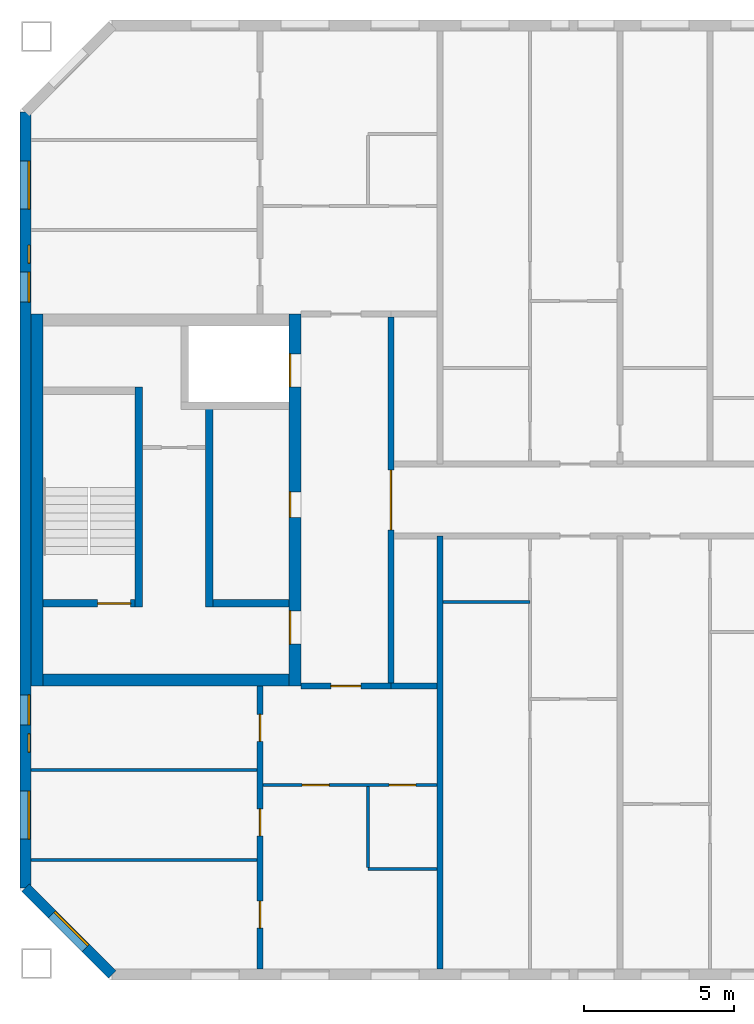
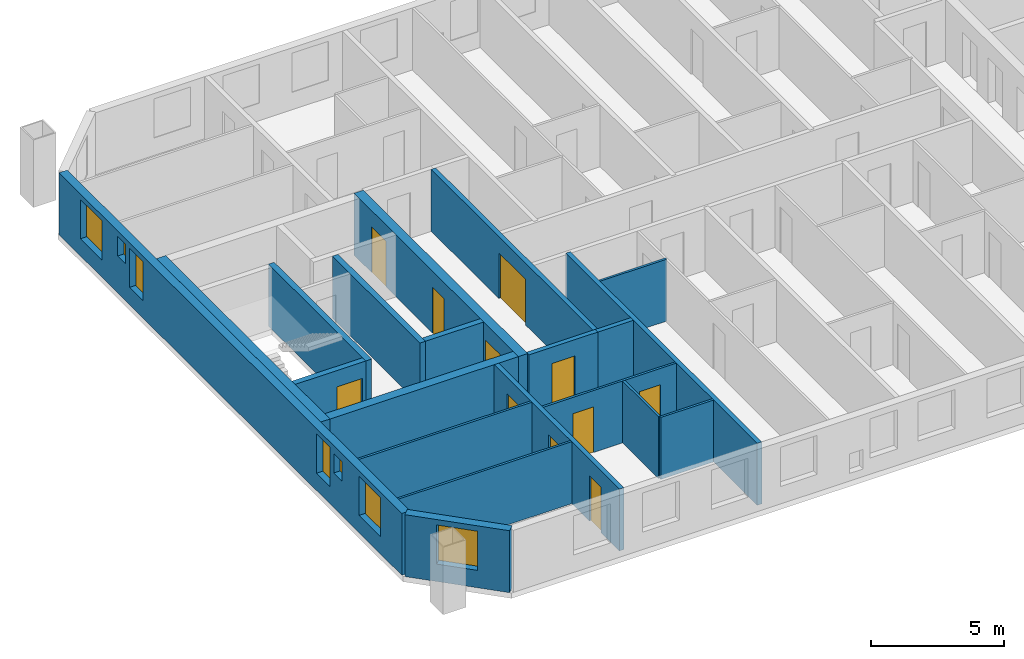
# One storey, part 4 of 19: 20 walls, 11 doors, 7 windows, 18 openings.
"""IFC4 building model written with IfcOpenShell, lengths in metres."""

from ifc_helpers import new_model, si_unit, direction, frame, frame_2d, origin, place, context, subcontext, project, spatial, rectangle, extrude, material, layer, layer_set, type_object, element, fill, save


model = new_model("IFC4")

# Units and contexts
model_context = context("Model", 3, precision=1e-05, world=origin(), true_north=direction((0.0, 1.0)))
body_context = subcontext(model_context, "Body", "Model", "MODEL_VIEW")
ifc_project = project(units=[si_unit("LENGTHUNIT", "METRE"), si_unit("AREAUNIT", "SQUARE_METRE"), si_unit("VOLUMEUNIT", "CUBIC_METRE"), si_unit("PLANEANGLEUNIT", "RADIAN"), si_unit("MASSUNIT", "GRAM", prefix="KILO")], contexts=[model_context])

# Site, building, storey
site_placement = place(None, origin())
site = spatial("IfcSite", under=ifc_project, at=site_placement, CompositionType="ELEMENT")
building_placement = place(site_placement, origin())
building = spatial("IfcBuilding", under=site, at=building_placement, Name="Tuart Gate Housing", CompositionType="ELEMENT")
storey_placement = place(building_placement, frame((0.0, 0.0, 227.60009765625)))
storey = spatial("IfcBuildingStorey", under=building, at=storey_placement, Name="L64", CompositionType="ELEMENT", Elevation=227.60009765625)

# Wall, opening, window
ifc_material_1 = material(Name="Brick", Category="masonry")
ifc_layer_1 = layer(ifc_material_1, 0.360107421875)
ifc_layer_set_1 = layer_set([ifc_layer_1], Name="Brick pier and spandrel wall 360")
wall_type_1 = type_object("IfcWallType", Name="Brick pier and spandrel wall 360", PredefinedType="STANDARD", material=ifc_layer_set_1)
wall_1_placement = place(storey_placement, frame((32.179931640625, 57.07470703125, 0.0), z_axis=(0.0, 0.0, 1.0), x_axis=(0.707106781187, -0.707106781187, 0.0)))
wall_1 = element("IfcWall", 1, at=wall_1_placement, inside=storey, type_object=wall_type_1, Name="External wall BLK-SW L64", PredefinedType="STANDARD", context=body_context, shape_type="SweptSolid", body=[
    extrude(rectangle(XDim=4.09375, YDim=0.360107421875, at=frame_2d((2.046875, 0.0))), origin(), (0.0, 0.0, 1.0), 2.849853515625),
])
opening_1_placement = place(wall_1_placement, frame((1.2470703125, 0.0, 0.800048828125)))
opening_1 = element("IfcOpeningElement", 2, at=opening_1_placement, cuts=wall_1, Name="Opening W1", PredefinedType="OPENING", context=body_context, shape_type="SweptSolid", body=[
    extrude(rectangle(XDim=1.60009765625, YDim=1.800048828125, at=frame_2d((0.800048828125, 0.89990234375))), frame((0.0, 0.18994140625, 0.0), z_axis=(0.0, -1.0, 0.0), x_axis=(1.0, 0.0, 0.0)), (0.0, 0.0, 1.0), 0.380126953125),
])
ifc_material_2 = material(Name="Aluminium frame with clear glass", Category="aluminium")
window_type_1 = type_object("IfcWindowType", Name="Punched window 1600 x 1800", PartitioningType="SINGLE_PANEL", PredefinedType="WINDOW", material=ifc_material_2)
window_1_placement = place(opening_1_placement, origin())
window_1 = element("IfcWindow", 3, at=window_1_placement, inside=storey, type_object=window_type_1, Name="Window W1", OverallHeight=1.800048828125, OverallWidth=1.60009765625, PartitioningType="SINGLE_PANEL", PredefinedType="WINDOW", context=body_context, shape_type="SweptSolid", body=[
    extrude(rectangle(XDim=1.60009765625, YDim=1.800048828125, at=frame_2d((0.800048828125, 0.89990234375))), frame((0.0, 0.150146484375, 0.0), z_axis=(0.0, -1.0, 0.0), x_axis=(1.0, 0.0, 0.0)), (0.0, 0.0, 1.0), 0.06005859375),
])
fill(opening_1, window_1)

# Wall, openings, windows
wall_2_placement = place(storey_placement, frame((32.179931640625, 82.92529296875, 0.0), z_axis=(0.0, 0.0, 1.0), x_axis=(0.0, -1.0, 0.0)))
wall_2 = element("IfcWall", 4, at=wall_2_placement, inside=storey, type_object=wall_type_1, Name="External wall BLK-W L64", PredefinedType="STANDARD", context=body_context, shape_type="SweptSolid", body=[
    extrude(rectangle(XDim=25.850830078125, YDim=0.360107421875, at=frame_2d((12.92529296875, 0.0))), origin(), (0.0, 0.0, 1.0), 2.849853515625),
])
opening_2_placement = place(wall_2_placement, frame((1.62548828125, 0.0, 0.800048828125)))
opening_2 = element("IfcOpeningElement", 5, at=opening_2_placement, cuts=wall_2, Name="Opening W1", PredefinedType="OPENING", context=body_context, shape_type="SweptSolid", body=[
    extrude(rectangle(XDim=1.60009765625, YDim=1.800048828125, at=frame_2d((0.800048828125, 0.89990234375))), frame((0.0, 0.18994140625, 0.0), z_axis=(0.0, -1.0, 0.0), x_axis=(1.0, 0.0, 0.0)), (0.0, 0.0, 1.0), 0.380126953125),
])
opening_3_placement = place(wall_2_placement, frame((4.42529296875, 0.0, 1.699951171875)))
opening_3 = element("IfcOpeningElement", 6, at=opening_3_placement, cuts=wall_2, Name="Opening W1W", PredefinedType="OPENING", context=body_context, shape_type="SweptSolid", body=[
    extrude(rectangle(XDim=0.60009765625, YDim=0.89990234375, at=frame_2d((0.300048828125, 0.449951171875))), frame((0.0, 0.18994140625, 0.0), z_axis=(0.0, -1.0, 0.0), x_axis=(1.0, 0.0, 0.0)), (0.0, 0.0, 1.0), 0.380126953125),
])
opening_4_placement = place(wall_2_placement, frame((19.42529296875, 0.0, 0.800048828125)))
opening_4 = element("IfcOpeningElement", 7, at=opening_4_placement, cuts=wall_2, Name="Opening W1C", PredefinedType="OPENING", context=body_context, shape_type="SweptSolid", body=[
    extrude(rectangle(XDim=1.0, YDim=1.800048828125, at=frame_2d((0.5, 0.89990234375))), frame((0.0, 0.18994140625, 0.0), z_axis=(0.0, -1.0, 0.0), x_axis=(1.0, 0.0, 0.0)), (0.0, 0.0, 1.0), 0.380126953125),
])
opening_5_placement = place(wall_2_placement, frame((22.62548828125, 0.0, 0.800048828125)))
opening_5 = element("IfcOpeningElement", 8, at=opening_5_placement, cuts=wall_2, Name="Opening W1", PredefinedType="OPENING", context=body_context, shape_type="SweptSolid", body=[
    extrude(rectangle(XDim=1.60009765625, YDim=1.800048828125, at=frame_2d((0.800048828125, 0.89990234375))), frame((0.0, 0.18994140625, 0.0), z_axis=(0.0, -1.0, 0.0), x_axis=(1.0, 0.0, 0.0)), (0.0, 0.0, 1.0), 0.380126953125),
])
opening_6_placement = place(wall_2_placement, frame((5.325439453125, 0.0, 0.800048828125)))
opening_6 = element("IfcOpeningElement", 9, at=opening_6_placement, cuts=wall_2, Name="Opening W1C", PredefinedType="OPENING", context=body_context, shape_type="SweptSolid", body=[
    extrude(rectangle(XDim=1.0, YDim=1.800048828125, at=frame_2d((0.5, 0.89990234375))), frame((0.0, 0.18994140625, 0.0), z_axis=(0.0, -1.0, 0.0), x_axis=(1.0, 0.0, 0.0)), (0.0, 0.0, 1.0), 0.380126953125),
])
opening_7_placement = place(wall_2_placement, frame((20.725341796875, 0.0, 1.60009765625)))
opening_7 = element("IfcOpeningElement", 10, at=opening_7_placement, cuts=wall_2, Name="Opening W1W", PredefinedType="OPENING", context=body_context, shape_type="SweptSolid", body=[
    extrude(rectangle(XDim=0.60009765625, YDim=0.89990234375, at=frame_2d((0.300048828125, 0.449951171875))), frame((0.0, 0.18994140625, 0.0), z_axis=(0.0, -1.0, 0.0), x_axis=(1.0, 0.0, 0.0)), (0.0, 0.0, 1.0), 0.380126953125),
])
ifc_material_3 = material(Name="Aluminium frame with clear glass", Category="aluminium")
window_type_2 = type_object("IfcWindowType", Name="Punched window 1000 x 1800", PartitioningType="SINGLE_PANEL", PredefinedType="WINDOW", material=ifc_material_3)
window_2_placement = place(opening_4_placement, origin())
window_2 = element("IfcWindow", 11, at=window_2_placement, inside=storey, type_object=window_type_2, Name="Window W1C", OverallHeight=1.800048828125, OverallWidth=1.0, PartitioningType="SINGLE_PANEL", PredefinedType="WINDOW", context=body_context, shape_type="SweptSolid", body=[
    extrude(rectangle(XDim=1.0, YDim=1.800048828125, at=frame_2d((0.5, 0.89990234375))), frame((0.0, 0.150146484375, 0.0), z_axis=(0.0, -1.0, 0.0), x_axis=(1.0, 0.0, 0.0)), (0.0, 0.0, 1.0), 0.06005859375),
])
fill(opening_4, window_2)
window_3_placement = place(opening_6_placement, origin())
window_3 = element("IfcWindow", 12, at=window_3_placement, inside=storey, type_object=window_type_2, Name="Window W1C", OverallHeight=1.800048828125, OverallWidth=1.0, PartitioningType="SINGLE_PANEL", PredefinedType="WINDOW", context=body_context, shape_type="SweptSolid", body=[
    extrude(rectangle(XDim=1.0, YDim=1.800048828125, at=frame_2d((0.5, 0.89990234375))), frame((0.0, 0.150146484375, 0.0), z_axis=(0.0, -1.0, 0.0), x_axis=(1.0, 0.0, 0.0)), (0.0, 0.0, 1.0), 0.06005859375),
])
fill(opening_6, window_3)
window_4_placement = place(opening_2_placement, origin())
window_4 = element("IfcWindow", 13, at=window_4_placement, inside=storey, type_object=window_type_1, Name="Window W1", OverallHeight=1.800048828125, OverallWidth=1.60009765625, PartitioningType="SINGLE_PANEL", PredefinedType="WINDOW", context=body_context, shape_type="SweptSolid", body=[
    extrude(rectangle(XDim=1.60009765625, YDim=1.800048828125, at=frame_2d((0.800048828125, 0.89990234375))), frame((0.0, 0.150146484375, 0.0), z_axis=(0.0, -1.0, 0.0), x_axis=(1.0, 0.0, 0.0)), (0.0, 0.0, 1.0), 0.06005859375),
])
fill(opening_2, window_4)
window_5_placement = place(opening_5_placement, origin())
window_5 = element("IfcWindow", 14, at=window_5_placement, inside=storey, type_object=window_type_1, Name="Window W1", OverallHeight=1.800048828125, OverallWidth=1.60009765625, PartitioningType="SINGLE_PANEL", PredefinedType="WINDOW", context=body_context, shape_type="SweptSolid", body=[
    extrude(rectangle(XDim=1.60009765625, YDim=1.800048828125, at=frame_2d((0.800048828125, 0.89990234375))), frame((0.0, 0.150146484375, 0.0), z_axis=(0.0, -1.0, 0.0), x_axis=(1.0, 0.0, 0.0)), (0.0, 0.0, 1.0), 0.06005859375),
])
fill(opening_5, window_5)
ifc_material_4 = material(Name="Aluminium frame with clear glass", Category="aluminium")
window_type_3 = type_object("IfcWindowType", Name="Punched window 600 x 900", PartitioningType="SINGLE_PANEL", PredefinedType="WINDOW", material=ifc_material_4)
window_6_placement = place(opening_3_placement, origin())
window_6 = element("IfcWindow", 15, at=window_6_placement, inside=storey, type_object=window_type_3, Name="Window W1W", OverallHeight=0.89990234375, OverallWidth=0.60009765625, PartitioningType="SINGLE_PANEL", PredefinedType="WINDOW", context=body_context, shape_type="SweptSolid", body=[
    extrude(rectangle(XDim=0.60009765625, YDim=0.89990234375, at=frame_2d((0.300048828125, 0.449951171875))), frame((0.0, 0.150146484375, 0.0), z_axis=(0.0, -1.0, 0.0), x_axis=(1.0, 0.0, 0.0)), (0.0, 0.0, 1.0), 0.06005859375),
])
fill(opening_3, window_6)
window_7_placement = place(opening_7_placement, origin())
window_7 = element("IfcWindow", 16, at=window_7_placement, inside=storey, type_object=window_type_3, Name="Window W1W", OverallHeight=0.89990234375, OverallWidth=0.60009765625, PartitioningType="SINGLE_PANEL", PredefinedType="WINDOW", context=body_context, shape_type="SweptSolid", body=[
    extrude(rectangle(XDim=0.60009765625, YDim=0.89990234375, at=frame_2d((0.300048828125, 0.449951171875))), frame((0.0, 0.150146484375, 0.0), z_axis=(0.0, -1.0, 0.0), x_axis=(1.0, 0.0, 0.0)), (0.0, 0.0, 1.0), 0.06005859375),
])
fill(opening_7, window_7)

# Wall
ifc_material_5 = material(Name="Concrete C40", Category="concrete")
ifc_layer_2 = layer(ifc_material_5, 0.25)
ifc_layer_set_2 = layer_set([ifc_layer_2], Name="Core wall 250 C40")
wall_type_2 = type_object("IfcWallType", Name="Core wall 250 C40", PredefinedType="SHEAR", material=ifc_layer_set_2)
wall_3_placement = place(storey_placement, frame((40.9599609375, 66.550048828125, 0.0), z_axis=(0.0, 0.0, 1.0), x_axis=(-1.0, 0.0, 0.0)))
element("IfcWall", 17, at=wall_3_placement, inside=storey, type_object=wall_type_2, Name="Core wall AK.4", PredefinedType="SHEAR", context=body_context, shape_type="SweptSolid", body=[
    extrude(rectangle(XDim=2.52490234375, YDim=0.25, at=frame_2d((1.262451171875, 0.0))), origin(), (0.0, 0.0, 1.0), 2.849853515625),
])

# Wall, opening, door
wall_4_placement = place(storey_placement, frame((35.8349609375, 66.550048828125, 0.0), z_axis=(0.0, 0.0, 1.0), x_axis=(-1.0, 0.0, 0.0)))
wall_4 = element("IfcWall", 18, at=wall_4_placement, inside=storey, type_object=wall_type_2, Name="Core wall AK.5", PredefinedType="SHEAR", context=body_context, shape_type="SweptSolid", body=[
    extrude(rectangle(XDim=3.074951171875, YDim=0.25, at=frame_2d((1.53759765625, 0.0))), origin(), (0.0, 0.0, 1.0), 2.849853515625),
])
opening_8_placement = place(wall_4_placement, frame((0.14990234375, 0.0, 0.0)))
opening_8 = element("IfcOpeningElement", 19, at=opening_8_placement, cuts=wall_4, Name="Opening D2312", PredefinedType="OPENING", context=body_context, shape_type="SweptSolid", body=[
    extrude(rectangle(XDim=1.10009765625, YDim=2.10009765625, at=frame_2d((0.550048828125, 1.050048828125))), frame((0.0, 0.135009765625, 0.0), z_axis=(0.0, -1.0, 0.0), x_axis=(1.0, 0.0, 0.0)), (0.0, 0.0, 1.0), 0.27001953125),
])
ifc_material_6 = material(Name="Steel fire door", Category="steel")
door_type_1 = type_object("IfcDoorType", Name="Stair door 1100 x 2100 RH", OperationType="SINGLE_SWING_RIGHT", PredefinedType="DOOR", material=ifc_material_6)
door_1_placement = place(opening_8_placement, frame((1.10009765625, 0.0, 0.0), z_axis=(0.0, 0.0, 1.0), x_axis=(-1.0, 0.0, 0.0)))
door_1 = element("IfcDoor", 20, at=door_1_placement, inside=storey, type_object=door_type_1, Name="Stair door AK.SD", OperationType="SINGLE_SWING_RIGHT", OverallHeight=2.10009765625, OverallWidth=1.10009765625, PredefinedType="DOOR", context=body_context, shape_type="SweptSolid", body=[
    extrude(rectangle(XDim=1.10009765625, YDim=2.10009765625, at=frame_2d((0.550048828125, 1.050048828125))), frame((0.0, 0.025146484375, 0.0), z_axis=(0.0, -1.0, 0.0), x_axis=(1.0, 0.0, 0.0)), (0.0, 0.0, 1.0), 0.050048828125),
])
fill(opening_8, door_1)

# Walls
wall_5_placement = place(storey_placement, frame((38.31005859375, 73.02490234375, 0.0), z_axis=(0.0, 0.0, 1.0), x_axis=(0.0, -1.0, 0.0)))
element("IfcWall", 21, at=wall_5_placement, inside=storey, type_object=wall_type_2, Name="Core wall AK.6", PredefinedType="SHEAR", context=body_context, shape_type="SweptSolid", body=[
    extrude(rectangle(XDim=6.599853515625, YDim=0.25, at=frame_2d((3.2998046875, 0.0))), origin(), (0.0, 0.0, 1.0), 2.849853515625),
])
wall_6_placement = place(storey_placement, frame((35.9599609375, 73.77490234375, 0.0), z_axis=(0.0, 0.0, 1.0), x_axis=(0.0, -1.0, 0.0)))
element("IfcWall", 22, at=wall_6_placement, inside=storey, type_object=wall_type_2, Name="Core wall AK.8", PredefinedType="SHEAR", context=body_context, shape_type="SweptSolid", body=[
    extrude(rectangle(XDim=7.349853515625, YDim=0.25, at=frame_2d((3.6748046875, 0.0))), origin(), (0.0, 0.0, 1.0), 2.849853515625),
])

# Wall, openings, doors
ifc_material_7 = material(Name="Concrete C40", Category="concrete")
ifc_layer_3 = layer(ifc_material_7, 0.39990234375)
ifc_layer_set_3 = layer_set([ifc_layer_3], Name="Core wall 400 C40")
wall_type_3 = type_object("IfcWallType", Name="Core wall 400 C40", PredefinedType="SHEAR", material=ifc_layer_set_3)
wall_7_placement = place(storey_placement, frame((41.159912109375, 76.199951171875, 0.0), z_axis=(0.0, 0.0, 1.0), x_axis=(0.0, -1.0, 0.0)))
wall_7 = element("IfcWall", 23, at=wall_7_placement, inside=storey, type_object=wall_type_3, Name="Core wall AK front", PredefinedType="SHEAR", context=body_context, shape_type="SweptSolid", body=[
    extrude(rectangle(XDim=12.39990234375, YDim=0.39990234375, at=frame_2d((6.199951171875, 0.0))), origin(), (0.0, 0.0, 1.0), 2.849853515625),
])
opening_9_placement = place(wall_7_placement, frame((1.324951171875, 0.0, 0.0)))
opening_9 = element("IfcOpeningElement", 24, at=opening_9_placement, cuts=wall_7, Name="Opening LD-FA2", PredefinedType="OPENING", context=body_context, shape_type="SweptSolid", body=[
    extrude(rectangle(XDim=1.10009765625, YDim=2.10009765625, at=frame_2d((0.550048828125, 1.050048828125))), frame((0.0, 0.2099609375, 0.0), z_axis=(0.0, -1.0, 0.0), x_axis=(1.0, 0.0, 0.0)), (0.0, 0.0, 1.0), 0.419921875),
])
opening_10_placement = place(wall_7_placement, frame((5.925048828125, 0.0, 0.0)))
opening_10 = element("IfcOpeningElement", 25, at=opening_10_placement, cuts=wall_7, Name="Opening D2302", PredefinedType="OPENING", context=body_context, shape_type="SweptSolid", body=[
    extrude(rectangle(XDim=0.85009765625, YDim=2.10009765625, at=frame_2d((0.425048828125, 1.050048828125))), frame((0.0, 0.2099609375, 0.0), z_axis=(0.0, -1.0, 0.0), x_axis=(1.0, 0.0, 0.0)), (0.0, 0.0, 1.0), 0.419921875),
])
opening_11_placement = place(wall_7_placement, frame((9.89990234375, 0.0, 0.0)))
opening_11 = element("IfcOpeningElement", 26, at=opening_11_placement, cuts=wall_7, Name="Opening D2301", PredefinedType="OPENING", context=body_context, shape_type="SweptSolid", body=[
    extrude(rectangle(XDim=1.10009765625, YDim=2.10009765625, at=frame_2d((0.550048828125, 1.050048828125))), frame((0.0, 0.2099609375, 0.0), z_axis=(0.0, -1.0, 0.0), x_axis=(1.0, 0.0, 0.0)), (0.0, 0.0, 1.0), 0.419921875),
])
ifc_material_8 = material(Name="Stainless steel", Category="steel")
door_type_2 = type_object("IfcDoorType", Name="Landing door 1100 x 2100", OperationType="DOUBLE_DOOR_SLIDING", PredefinedType="DOOR", material=ifc_material_8)
door_2_placement = place(opening_9_placement, origin())
door_2 = element("IfcDoor", 27, at=door_2_placement, inside=storey, type_object=door_type_2, Name="Lift landing door FA2", OperationType="DOUBLE_DOOR_SLIDING", OverallHeight=2.10009765625, OverallWidth=1.10009765625, PredefinedType="DOOR", context=body_context, shape_type="SweptSolid", body=[
    extrude(rectangle(XDim=1.10009765625, YDim=2.10009765625, at=frame_2d((0.550048828125, 1.050048828125))), frame((0.0, -0.134765625, 0.0), z_axis=(0.0, -1.0, 0.0), x_axis=(1.0, 0.0, 0.0)), (0.0, 0.0, 1.0), 0.050048828125),
])
fill(opening_9, door_2)
ifc_material_9 = material(Name="Steel fire door", Category="steel")
door_type_3 = type_object("IfcDoorType", Name="Lobby door 1100 x 2100 RH", OperationType="SINGLE_SWING_RIGHT", PredefinedType="DOOR", material=ifc_material_9)
door_3_placement = place(opening_11_placement, frame((1.10009765625, 0.0, 0.0), z_axis=(0.0, 0.0, 1.0), x_axis=(-1.0, 0.0, 0.0)))
door_3 = element("IfcDoor", 28, at=door_3_placement, inside=storey, type_object=door_type_3, Name="Lobby entry door AK.EN", OperationType="SINGLE_SWING_RIGHT", OverallHeight=2.10009765625, OverallWidth=1.10009765625, PredefinedType="DOOR", context=body_context, shape_type="SweptSolid", body=[
    extrude(rectangle(XDim=1.10009765625, YDim=2.10009765625, at=frame_2d((0.550048828125, 1.050048828125))), frame((0.0, 0.184814453125, 0.0), z_axis=(0.0, -1.0, 0.0), x_axis=(1.0, 0.0, 0.0)), (0.0, 0.0, 1.0), 0.050048828125),
])
fill(opening_11, door_3)
ifc_material_10 = material(Name="Steel fire door", Category="steel")
door_type_4 = type_object("IfcDoorType", Name="Service door 850 x 2100 RH", OperationType="SINGLE_SWING_RIGHT", PredefinedType="DOOR", material=ifc_material_10)
door_4_placement = place(opening_10_placement, frame((0.85009765625, 0.0, 0.0), z_axis=(0.0, 0.0, 1.0), x_axis=(-1.0, 0.0, 0.0)))
door_4 = element("IfcDoor", 29, at=door_4_placement, inside=storey, type_object=door_type_4, Name="Service room door AK.FR1", OperationType="SINGLE_SWING_RIGHT", OverallHeight=2.10009765625, OverallWidth=0.85009765625, PredefinedType="DOOR", context=body_context, shape_type="SweptSolid", body=[
    extrude(rectangle(XDim=0.85009765625, YDim=2.10009765625, at=frame_2d((0.425048828125, 1.050048828125))), frame((0.0, 0.184814453125, 0.0), z_axis=(0.0, -1.0, 0.0), x_axis=(1.0, 0.0, 0.0)), (0.0, 0.0, 1.0), 0.050048828125),
])
fill(opening_10, door_4)

# Walls
wall_8_placement = place(storey_placement, frame((32.56005859375, 76.199951171875, 0.0), z_axis=(0.0, 0.0, 1.0), x_axis=(0.0, -1.0, 0.0)))
element("IfcWall", 30, at=wall_8_placement, inside=storey, type_object=wall_type_3, Name="Core wall AK back", PredefinedType="SHEAR", context=body_context, shape_type="SweptSolid", body=[
    extrude(rectangle(XDim=12.39990234375, YDim=0.39990234375, at=frame_2d((6.199951171875, 0.0))), origin(), (0.0, 0.0, 1.0), 2.849853515625),
])
wall_9_placement = place(storey_placement, frame((40.9599609375, 64.0, 0.0), z_axis=(0.0, 0.0, 1.0), x_axis=(-1.0, 0.0, 0.0)))
element("IfcWall", 31, at=wall_9_placement, inside=storey, type_object=wall_type_3, Name="Core wall AK north", PredefinedType="SHEAR", context=body_context, shape_type="SweptSolid", body=[
    extrude(rectangle(XDim=8.199951171875, YDim=0.39990234375, at=frame_2d((4.10009765625, 0.0))), origin(), (0.0, 0.0, 1.0), 2.849853515625),
])

# Wall, opening, door
ifc_material_11 = material(Name="Concrete masonry 15 MPa", Category="masonry")
ifc_layer_4 = layer(ifc_material_11, 0.199951171875)
ifc_layer_set_4 = layer_set([ifc_layer_4], Name="Enclosure wall masonry 200")
wall_type_4 = type_object("IfcWallType", Name="Enclosure wall masonry 200", PredefinedType="PARTITIONING", material=ifc_layer_set_4)
wall_10_placement = place(storey_placement, frame((41.360107421875, 63.800048828125, 0.0), z_axis=(0.0, 0.0, 1.0), x_axis=(1.0, 0.0, 0.0)))
wall_10 = element("IfcWall", 32, at=wall_10_placement, inside=storey, type_object=wall_type_4, Name="Enclosure wall masonry 200", PredefinedType="PARTITIONING", context=body_context, shape_type="SweptSolid", body=[
    extrude(rectangle(XDim=3.0, YDim=0.199951171875, at=frame_2d((1.5, 0.0))), origin(), (0.0, 0.0, 1.0), 2.849853515625),
])
opening_12_placement = place(wall_10_placement, frame((1.0, 0.0, 0.0)))
opening_12 = element("IfcOpeningElement", 33, at=opening_12_placement, cuts=wall_10, Name="Opening D2313", PredefinedType="OPENING", context=body_context, shape_type="SweptSolid", body=[
    extrude(rectangle(XDim=1.0, YDim=2.10009765625, at=frame_2d((0.5, 1.050048828125))), frame((0.0, 0.10986328125, 0.0), z_axis=(0.0, -1.0, 0.0), x_axis=(1.0, 0.0, 0.0)), (0.0, 0.0, 1.0), 0.219970703125),
])
ifc_material_12 = material(Name="Timber door leaf in steel frame", Category="steel")
door_type_5 = type_object("IfcDoorType", Name="Flat entrance door 1000 RH", OperationType="SINGLE_SWING_RIGHT", PredefinedType="DOOR", material=ifc_material_12)
door_5_placement = place(opening_12_placement, frame((1.0, 0.0, 0.0), z_axis=(0.0, 0.0, 1.0), x_axis=(-1.0, 0.0, 0.0)))
door_5 = element("IfcDoor", 34, at=door_5_placement, inside=storey, type_object=door_type_5, Name="Flat entrance door", OperationType="SINGLE_SWING_RIGHT", OverallHeight=2.10009765625, OverallWidth=1.0, PredefinedType="DOOR", context=body_context, shape_type="SweptSolid", body=[
    extrude(rectangle(XDim=1.0, YDim=2.10009765625, at=frame_2d((0.5, 1.050048828125))), frame((0.0, 0.025146484375, 0.0), z_axis=(0.0, -1.0, 0.0), x_axis=(1.0, 0.0, 0.0)), (0.0, 0.0, 1.0), 0.050048828125),
])
fill(opening_12, door_5)

ifc_material_13 = material(Name="Plasterboard partition")
ifc_layer_5 = layer(ifc_material_13, 0.199951171875)
ifc_layer_set_5 = layer_set([ifc_layer_5], Name="Lobby wall 200")
wall_type_5 = type_object("IfcWallType", Name="Lobby wall 200", PredefinedType="PARTITIONING", material=ifc_layer_set_5)
wall_11_placement = place(storey_placement, frame((44.360107421875, 63.89990234375, 0.0), z_axis=(0.0, 0.0, 1.0), x_axis=(0.0, 1.0, 0.0)))
wall_11 = element("IfcWall", 35, at=wall_11_placement, inside=storey, type_object=wall_type_5, Name="Lift lobby wall AK", PredefinedType="PARTITIONING", context=body_context, shape_type="SweptSolid", body=[
    extrude(rectangle(XDim=12.2001953125, YDim=0.199951171875, at=frame_2d((6.10009765625, 0.0))), origin(), (0.0, 0.0, 1.0), 2.849853515625),
])
opening_13_placement = place(wall_11_placement, frame((5.10009765625, 0.0, 0.0)))
opening_13 = element("IfcOpeningElement", 36, at=opening_13_placement, cuts=wall_11, Name="Opening D2303", PredefinedType="OPENING", context=body_context, shape_type="SweptSolid", body=[
    extrude(rectangle(XDim=2.0, YDim=2.10009765625, at=frame_2d((1.0, 1.050048828125))), frame((0.0, 0.10986328125, 0.0), z_axis=(0.0, -1.0, 0.0), x_axis=(1.0, 0.0, 0.0)), (0.0, 0.0, 1.0), 0.219970703125),
])
ifc_material_14 = material(Name="Steel fire door", Category="steel")
door_type_6 = type_object("IfcDoorType", Name="Smoke door 2000 x 2100", OperationType="DOUBLE_DOOR_SINGLE_SWING", PredefinedType="DOOR", material=ifc_material_14)
door_6_placement = place(opening_13_placement, origin())
door_6 = element("IfcDoor", 37, at=door_6_placement, inside=storey, type_object=door_type_6, Name="Lift lobby smoke door AK", OperationType="DOUBLE_DOOR_SINGLE_SWING", OverallHeight=2.10009765625, OverallWidth=2.0, PredefinedType="DOOR", context=body_context, shape_type="SweptSolid", body=[
    extrude(rectangle(XDim=2.0, YDim=2.10009765625, at=frame_2d((1.0, 1.050048828125))), frame((0.0, 0.02490234375, 0.0), z_axis=(0.0, -1.0, 0.0), x_axis=(1.0, 0.0, 0.0)), (0.0, 0.0, 1.0), 0.050048828125),
])
fill(opening_13, door_6)

# Walls
ifc_material_15 = material(Name="Gypsum board on steel studs", Category="steel")
ifc_layer_6 = layer(ifc_material_15, 0.10009765625)
ifc_layer_set_6 = layer_set([ifc_layer_6], Name="Partition 100")
wall_type_6 = type_object("IfcWallType", Name="Partition 100", PredefinedType="PARTITIONING", material=ifc_layer_set_6)
wall_12_placement = place(storey_placement, frame((43.60009765625, 57.699951171875, 0.0), z_axis=(0.0, 0.0, 1.0), x_axis=(1.0, 0.0, 0.0)))
element("IfcWall", 38, at=wall_12_placement, inside=storey, type_object=wall_type_6, Name="Partition 100", PredefinedType="PARTITIONING", context=body_context, shape_type="SweptSolid", body=[
    extrude(rectangle(XDim=2.2998046875, YDim=0.10009765625, at=frame_2d((1.14990234375, 0.0))), origin(), (0.0, 0.0, 1.0), 2.849853515625),
])
wall_13_placement = place(storey_placement, frame((32.360107421875, 58.0, 0.0), z_axis=(0.0, 0.0, 1.0), x_axis=(1.0, 0.0, 0.0)))
element("IfcWall", 39, at=wall_13_placement, inside=storey, type_object=wall_type_6, Name="Partition 100", PredefinedType="PARTITIONING", context=body_context, shape_type="SweptSolid", body=[
    extrude(rectangle(XDim=7.539794921875, YDim=0.10009765625, at=frame_2d((3.77001953125, 0.0))), origin(), (0.0, 0.0, 1.0), 2.849853515625),
])

# Wall, openings, doors
wall_14_placement = place(storey_placement, frame((40.10009765625, 60.5, 0.0), z_axis=(0.0, 0.0, 1.0), x_axis=(1.0, 0.0, 0.0)))
wall_14 = element("IfcWall", 40, at=wall_14_placement, inside=storey, type_object=wall_type_6, Name="Partition 100", PredefinedType="PARTITIONING", context=body_context, shape_type="SweptSolid", body=[
    extrude(rectangle(XDim=5.7998046875, YDim=0.10009765625, at=frame_2d((2.89990234375, 0.0))), origin(), (0.0, 0.0, 1.0), 2.849853515625),
])
opening_14_placement = place(wall_14_placement, frame((1.300048828125, 0.0, 0.0)))
opening_14 = element("IfcOpeningElement", 41, at=opening_14_placement, cuts=wall_14, Name="Opening D2324", PredefinedType="OPENING", context=body_context, shape_type="SweptSolid", body=[
    extrude(rectangle(XDim=0.89990234375, YDim=2.10009765625, at=frame_2d((0.449951171875, 1.050048828125))), frame((0.0, 0.06005859375, 0.0), z_axis=(0.0, -1.0, 0.0), x_axis=(1.0, 0.0, 0.0)), (0.0, 0.0, 1.0), 0.1201171875),
])
opening_15_placement = place(wall_14_placement, frame((4.199951171875, 0.0, 0.0)))
opening_15 = element("IfcOpeningElement", 42, at=opening_15_placement, cuts=wall_14, Name="Opening D2323", PredefinedType="OPENING", context=body_context, shape_type="SweptSolid", body=[
    extrude(rectangle(XDim=0.89990234375, YDim=2.10009765625, at=frame_2d((0.449951171875, 1.050048828125))), frame((0.0, 0.06005859375, 0.0), z_axis=(0.0, -1.0, 0.0), x_axis=(1.0, 0.0, 0.0)), (0.0, 0.0, 1.0), 0.1201171875),
])
ifc_material_16 = material(Name="Timber door leaf in steel frame", Category="steel")
door_type_7 = type_object("IfcDoorType", Name="Bathroom door 900 RH", OperationType="SINGLE_SWING_RIGHT", PredefinedType="DOOR", material=ifc_material_16)
door_7_placement = place(opening_15_placement, frame((0.89990234375, 0.0, 0.0), z_axis=(0.0, 0.0, 1.0), x_axis=(-1.0, 0.0, 0.0)))
door_7 = element("IfcDoor", 43, at=door_7_placement, inside=storey, type_object=door_type_7, Name="Bathroom door", OperationType="SINGLE_SWING_RIGHT", OverallHeight=2.10009765625, OverallWidth=0.89990234375, PredefinedType="DOOR", context=body_context, shape_type="SweptSolid", body=[
    extrude(rectangle(XDim=0.89990234375, YDim=2.10009765625, at=frame_2d((0.449951171875, 1.050048828125))), frame((0.0, 0.025146484375, 0.0), z_axis=(0.0, -1.0, 0.0), x_axis=(1.0, 0.0, 0.0)), (0.0, 0.0, 1.0), 0.050048828125),
])
fill(opening_15, door_7)
ifc_material_17 = material(Name="Timber door leaf in steel frame", Category="steel")
door_type_8 = type_object("IfcDoorType", Name="Internal door 900", OperationType="SINGLE_SWING_LEFT", PredefinedType="DOOR", material=ifc_material_17)
door_8_placement = place(opening_14_placement, origin())
door_8 = element("IfcDoor", 44, at=door_8_placement, inside=storey, type_object=door_type_8, Name="Internal door", OperationType="SINGLE_SWING_LEFT", OverallHeight=2.10009765625, OverallWidth=0.89990234375, PredefinedType="DOOR", context=body_context, shape_type="SweptSolid", body=[
    extrude(rectangle(XDim=0.89990234375, YDim=2.10009765625, at=frame_2d((0.449951171875, 1.050048828125))), frame((0.0, 0.02490234375, 0.0), z_axis=(0.0, -1.0, 0.0), x_axis=(1.0, 0.0, 0.0)), (0.0, 0.0, 1.0), 0.050048828125),
])
fill(opening_14, door_8)

# Walls
wall_15_placement = place(storey_placement, frame((32.360107421875, 61.0, 0.0), z_axis=(0.0, 0.0, 1.0), x_axis=(1.0, 0.0, 0.0)))
element("IfcWall", 45, at=wall_15_placement, inside=storey, type_object=wall_type_6, Name="Partition 100", PredefinedType="PARTITIONING", context=body_context, shape_type="SweptSolid", body=[
    extrude(rectangle(XDim=7.539794921875, YDim=0.10009765625, at=frame_2d((3.77001953125, 0.0))), origin(), (0.0, 0.0, 1.0), 2.849853515625),
])
wall_16_placement = place(storey_placement, frame((46.10009765625, 66.60009765625, 0.0), z_axis=(0.0, 0.0, 1.0), x_axis=(1.0, 0.0, 0.0)))
element("IfcWall", 46, at=wall_16_placement, inside=storey, type_object=wall_type_6, Name="Partition 100", PredefinedType="PARTITIONING", context=body_context, shape_type="SweptSolid", body=[
    extrude(rectangle(XDim=2.89990234375, YDim=0.10009765625, at=frame_2d((1.449951171875, 0.0))), origin(), (0.0, 0.0, 1.0), 2.849853515625),
])
wall_17_placement = place(storey_placement, frame((43.60009765625, 57.75, 0.0), z_axis=(0.0, 0.0, 1.0), x_axis=(0.0, 1.0, 0.0)))
element("IfcWall", 47, at=wall_17_placement, inside=storey, type_object=wall_type_6, Name="Partition 100", PredefinedType="PARTITIONING", context=body_context, shape_type="SweptSolid", body=[
    extrude(rectangle(XDim=2.699951171875, YDim=0.10009765625, at=frame_2d((1.35009765625, 0.0))), origin(), (0.0, 0.0, 1.0), 2.849853515625),
])

# Wall, openings, doors
ifc_material_18 = material(Name="Concrete C40", Category="concrete")
ifc_layer_7 = layer(ifc_material_18, 0.199951171875)
ifc_layer_set_7 = layer_set([ifc_layer_7], Name="Party wall concrete C40 200")
wall_type_7 = type_object("IfcWallType", Name="Party wall concrete C40 200", PredefinedType="SOLIDWALL", material=ifc_layer_set_7)
wall_18_placement = place(storey_placement, frame((40.0, 54.360107421875, 0.0), z_axis=(0.0, 0.0, 1.0), x_axis=(0.0, 1.0, 0.0)))
wall_18 = element("IfcWall", 48, at=wall_18_placement, inside=storey, type_object=wall_type_7, Name="Party wall concrete C40 200", PredefinedType="SOLIDWALL", context=body_context, shape_type="SweptSolid", body=[
    extrude(rectangle(XDim=9.43994140625, YDim=0.199951171875, at=frame_2d((4.719970703125, 0.0))), origin(), (0.0, 0.0, 1.0), 2.849853515625),
])
opening_16_placement = place(wall_18_placement, frame((1.3701171875, 0.0, 0.0)))
opening_16 = element("IfcOpeningElement", 49, at=opening_16_placement, cuts=wall_18, Name="Opening D2328", PredefinedType="OPENING", context=body_context, shape_type="SweptSolid", body=[
    extrude(rectangle(XDim=0.89990234375, YDim=2.10009765625, at=frame_2d((0.449951171875, 1.050048828125))), frame((0.0, 0.10986328125, 0.0), z_axis=(0.0, -1.0, 0.0), x_axis=(1.0, 0.0, 0.0)), (0.0, 0.0, 1.0), 0.219970703125),
])
opening_17_placement = place(wall_18_placement, frame((4.43994140625, 0.0, 0.0)))
opening_17 = element("IfcOpeningElement", 50, at=opening_17_placement, cuts=wall_18, Name="Opening D2329", PredefinedType="OPENING", context=body_context, shape_type="SweptSolid", body=[
    extrude(rectangle(XDim=0.89990234375, YDim=2.10009765625, at=frame_2d((0.449951171875, 1.050048828125))), frame((0.0, 0.10986328125, 0.0), z_axis=(0.0, -1.0, 0.0), x_axis=(1.0, 0.0, 0.0)), (0.0, 0.0, 1.0), 0.219970703125),
])
opening_18_placement = place(wall_18_placement, frame((7.590087890625, 0.0, 0.0)))
opening_18 = element("IfcOpeningElement", 51, at=opening_18_placement, cuts=wall_18, Name="Opening D2330", PredefinedType="OPENING", context=body_context, shape_type="SweptSolid", body=[
    extrude(rectangle(XDim=0.89990234375, YDim=2.10009765625, at=frame_2d((0.449951171875, 1.050048828125))), frame((0.0, 0.10986328125, 0.0), z_axis=(0.0, -1.0, 0.0), x_axis=(1.0, 0.0, 0.0)), (0.0, 0.0, 1.0), 0.219970703125),
])
door_9_placement = place(opening_16_placement, origin())
door_9 = element("IfcDoor", 52, at=door_9_placement, inside=storey, type_object=door_type_8, Name="Internal door", OperationType="SINGLE_SWING_LEFT", OverallHeight=2.10009765625, OverallWidth=0.89990234375, PredefinedType="DOOR", context=body_context, shape_type="SweptSolid", body=[
    extrude(rectangle(XDim=0.89990234375, YDim=2.10009765625, at=frame_2d((0.449951171875, 1.050048828125))), frame((0.0, 0.02490234375, 0.0), z_axis=(0.0, -1.0, 0.0), x_axis=(1.0, 0.0, 0.0)), (0.0, 0.0, 1.0), 0.050048828125),
])
fill(opening_16, door_9)
door_10_placement = place(opening_17_placement, origin())
door_10 = element("IfcDoor", 53, at=door_10_placement, inside=storey, type_object=door_type_8, Name="Internal door", OperationType="SINGLE_SWING_LEFT", OverallHeight=2.10009765625, OverallWidth=0.89990234375, PredefinedType="DOOR", context=body_context, shape_type="SweptSolid", body=[
    extrude(rectangle(XDim=0.89990234375, YDim=2.10009765625, at=frame_2d((0.449951171875, 1.050048828125))), frame((0.0, 0.02490234375, 0.0), z_axis=(0.0, -1.0, 0.0), x_axis=(1.0, 0.0, 0.0)), (0.0, 0.0, 1.0), 0.050048828125),
])
fill(opening_17, door_10)
door_11_placement = place(opening_18_placement, origin())
door_11 = element("IfcDoor", 54, at=door_11_placement, inside=storey, type_object=door_type_8, Name="Internal door", OperationType="SINGLE_SWING_LEFT", OverallHeight=2.10009765625, OverallWidth=0.89990234375, PredefinedType="DOOR", context=body_context, shape_type="SweptSolid", body=[
    extrude(rectangle(XDim=0.89990234375, YDim=2.10009765625, at=frame_2d((0.449951171875, 1.050048828125))), frame((0.0, 0.02490234375, 0.0), z_axis=(0.0, -1.0, 0.0), x_axis=(1.0, 0.0, 0.0)), (0.0, 0.0, 1.0), 0.050048828125),
])
fill(opening_18, door_11)

# Walls
wall_19_placement = place(storey_placement, frame((46.0, 54.360107421875, 0.0), z_axis=(0.0, 0.0, 1.0), x_axis=(0.0, 1.0, 0.0)))
element("IfcWall", 55, at=wall_19_placement, inside=storey, type_object=wall_type_7, Name="Party wall concrete C40 200", PredefinedType="SOLIDWALL", context=body_context, shape_type="SweptSolid", body=[
    extrude(rectangle(XDim=14.43994140625, YDim=0.199951171875, at=frame_2d((7.219970703125, 0.0))), origin(), (0.0, 0.0, 1.0), 2.849853515625),
])
ifc_material_19 = material(Name="Concrete masonry 15 MPa", Category="masonry")
ifc_layer_8 = layer(ifc_material_19, 0.199951171875)
ifc_layer_set_8 = layer_set([ifc_layer_8], Name="Party wall masonry 200")
wall_type_8 = type_object("IfcWallType", Name="Party wall masonry 200", PredefinedType="PARTITIONING", material=ifc_layer_set_8)
wall_20_placement = place(storey_placement, frame((44.360107421875, 63.800048828125, 0.0), z_axis=(0.0, 0.0, 1.0), x_axis=(1.0, 0.0, 0.0)))
element("IfcWall", 56, at=wall_20_placement, inside=storey, type_object=wall_type_8, Name="Party wall masonry 200", PredefinedType="PARTITIONING", context=body_context, shape_type="SweptSolid", body=[
    extrude(rectangle(XDim=1.539794921875, YDim=0.199951171875, at=frame_2d((0.77001953125, 0.0))), origin(), (0.0, 0.0, 1.0), 2.849853515625),
])

save(model, "model.ifc")
